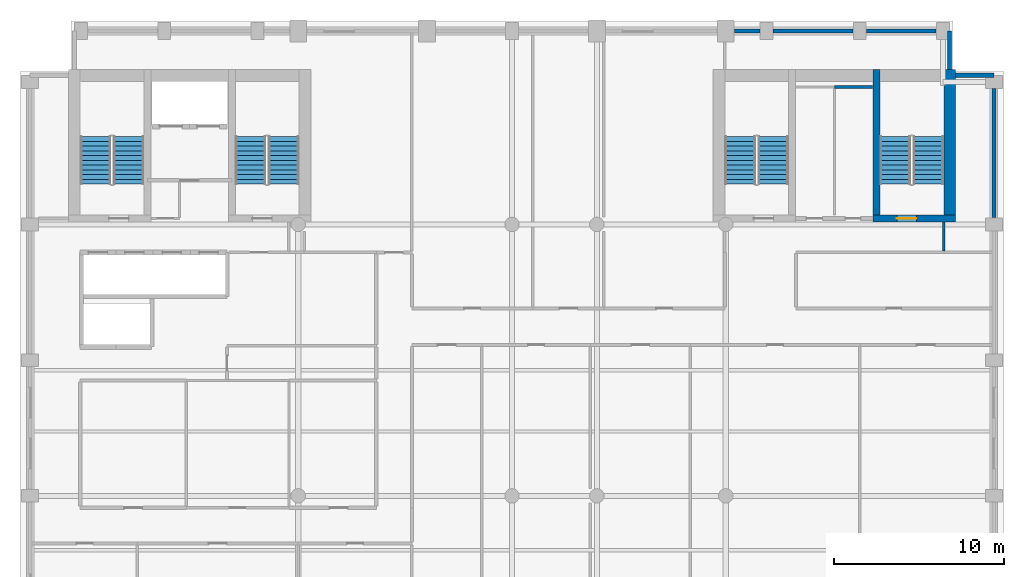
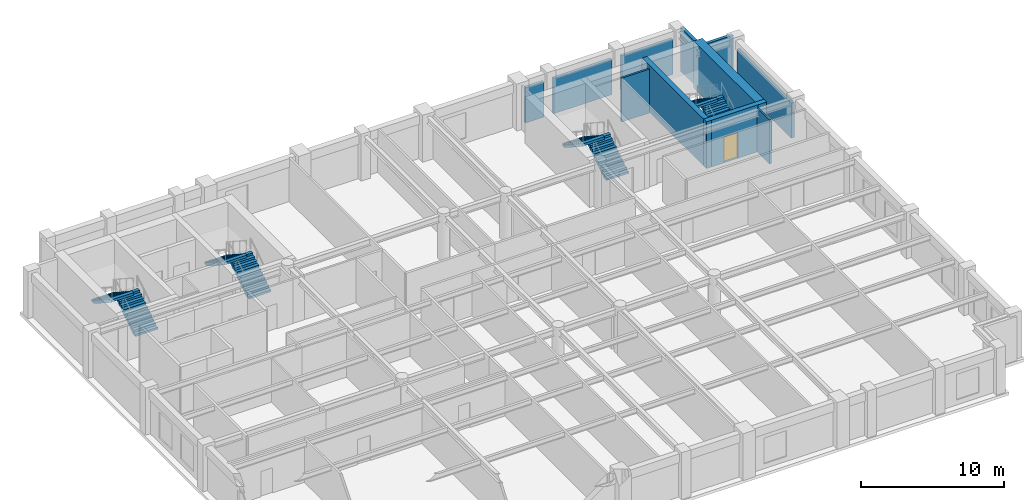
# One storey, part 6 of 8: 11 walls, 8 stair flights, 1 door, 1 opening, 4 elements without a shape of their own.
"""IFC4 building model written with IfcOpenShell, lengths in metres."""

import ifcopenshell
import ifcopenshell.guid

model = None  # the IFC model being written
_history = None  # IfcOwnerHistory: only IFC2X3 demands one
_inside = {}  # id of a spatial element -> (the spatial element, [elements in it])
_under = {}  # id of a project, library or spatial element -> (it, [spatial elements below it])
_declared = {}  # id of a project -> (the project, [libraries it declares])
_typed = {}  # id of a type object -> (the type object, [elements of that type])
_made_of = {}  # id of a material, layer set ... -> (it, [elements and type objects made of it])


def new_model(schema):
    """Start an empty IFC model of exactly this schema.

    Asked for "IFC4X3", IfcOpenShell would pick the latest addendum, in which some entities
    have other attributes; the version numbers below select the first issue.
    IFC2X3 requires an IfcOwnerHistory on every rooted entity: one is made here for all.
    """
    global model, _history
    if schema == "IFC4X3":
        model = ifcopenshell.file(schema_version=(4, 3, 0, 0))
    else:
        model = ifcopenshell.file(schema=schema)
    _inside.clear()
    _under.clear()
    _declared.clear()
    _typed.clear()
    _made_of.clear()
    _history = None
    if model.schema == "IFC2X3":
        org = make("IfcOrganization", Name="unknown")
        user = make(
            "IfcPersonAndOrganization",
            ThePerson=make("IfcPerson", FamilyName="unknown"),
            TheOrganization=org,
        )
        app = make(
            "IfcApplication",
            ApplicationDeveloper=org,
            Version="unknown",
            ApplicationFullName="unknown",
            ApplicationIdentifier="unknown",
        )
        _history = make(
            "IfcOwnerHistory",
            OwningUser=user,
            OwningApplication=app,
            ChangeAction="ADDED",
            CreationDate=0,
        )
    return model


def make(cls, **values):
    """One entity of the class cls with the attributes given. An attribute that is None is left unset."""
    return model.create_entity(
        cls, **{name: value for name, value in values.items() if value is not None}
    )


def rooted(cls, **values):
    """An entity with a GlobalId (a new one), such as an element, a storey or a relation."""
    return make(cls, GlobalId=ifcopenshell.guid.new(), OwnerHistory=_history, **values)


def si_unit(unit_type, name, prefix=None):
    """IfcSIUnit, for example si_unit("LENGTHUNIT", "METRE", prefix="MILLI")."""
    return make("IfcSIUnit", UnitType=unit_type, Prefix=prefix, Name=name)


def assignment(units):
    """IfcUnitAssignment: the units of a project."""
    return None if units is None else make("IfcUnitAssignment", Units=units)


def point(xyz):
    """IfcCartesianPoint."""
    return None if xyz is None else make("IfcCartesianPoint", Coordinates=xyz)


def direction(xyz):
    """IfcDirection."""
    return None if xyz is None else make("IfcDirection", DirectionRatios=xyz)


def frame(location, z_axis=None, x_axis=None):
    """IfcAxis2Placement3D, a coordinate frame: its origin and axes. An axis left out is left unset."""
    return make(
        "IfcAxis2Placement3D",
        Location=point(location),
        Axis=direction(z_axis),
        RefDirection=direction(x_axis),
    )


def frame_2d(location, x_axis=None):
    """IfcAxis2Placement2D, a coordinate frame in the plane: its origin and x axis."""
    return make(
        "IfcAxis2Placement2D", Location=point(location), RefDirection=direction(x_axis)
    )


def origin():
    """The frame at (0, 0, 0) with its axes left unset."""
    return frame((0.0, 0.0, 0.0))


def place(relative_to, where):
    """IfcLocalPlacement: puts the frame where relative to a parent placement (None: the world)."""
    return make(
        "IfcLocalPlacement", PlacementRelTo=relative_to, RelativePlacement=where
    )


def context(
    kind, dimensions, precision=None, world=None, true_north=None, identifier=None
):
    """IfcGeometricRepresentationContext, for example the 3D "Model" context."""
    return make(
        "IfcGeometricRepresentationContext",
        ContextIdentifier=identifier,
        ContextType=kind,
        CoordinateSpaceDimension=dimensions,
        Precision=precision,
        WorldCoordinateSystem=world,
        TrueNorth=true_north,
    )


def subcontext(parent, identifier, kind, view, scale=None):
    """IfcGeometricRepresentationSubContext, for example "Body" below "Model"."""
    return make(
        "IfcGeometricRepresentationSubContext",
        ContextIdentifier=identifier,
        ContextType=kind,
        ParentContext=parent,
        TargetScale=scale,
        TargetView=view,
    )


def project(units=None, contexts=None):
    """IfcProject with its units and contexts."""
    return rooted(
        "IfcProject",
        Name="project",
        RepresentationContexts=contexts,
        UnitsInContext=assignment(units),
    )


def spatial(cls, under=None, at=None, **own):
    """A site, building, storey or space (cls), placed at a placement, below another one or the project."""
    s = rooted(cls, ObjectPlacement=at, **own)
    if under is not None:
        _under.setdefault(under.id(), (under, []))[1].append(s)
    return s


def polyline(points):
    """IfcPolyline through the points."""
    return make("IfcPolyline", Points=[point(p) for p in points])


def profile(cls, at=None, kind="AREA", **sizes):
    """A parametric profile (cls). Its sizes go by their IFC names, for example OverallWidth=200.0."""
    return make(cls, ProfileType=kind, Position=at, **sizes)


def rectangle(**sizes):
    """IfcRectangleProfileDef."""
    return profile("IfcRectangleProfileDef", **sizes)


def outline(outer, holes=None, kind="AREA"):
    """IfcArbitraryClosedProfileDef: a profile drawn as a closed curve; with holes, ...WithVoids."""
    if holes is None:
        return make("IfcArbitraryClosedProfileDef", ProfileType=kind, OuterCurve=outer)
    return make(
        "IfcArbitraryProfileDefWithVoids",
        ProfileType=kind,
        OuterCurve=outer,
        InnerCurves=holes,
    )


def extrude(swept, where, along, depth):
    """IfcExtrudedAreaSolid: the profile swept, set in the frame where, extruded along a direction by depth."""
    return make(
        "IfcExtrudedAreaSolid",
        SweptArea=swept,
        Position=where,
        ExtrudedDirection=direction(along),
        Depth=depth,
    )


def shape(context_of_items, identifier, shape_type, items):
    """IfcShapeRepresentation: the items that make up one representation, for example the "Body"."""
    return make(
        "IfcShapeRepresentation",
        ContextOfItems=context_of_items,
        RepresentationIdentifier=identifier,
        RepresentationType=shape_type,
        Items=items,
    )


def material(Name=None, Category=None):
    """IfcMaterial."""
    return make("IfcMaterial", Name=Name, Category=Category)


def layer(
    of_material, thickness, ventilated=None, Name=None, Category=None, Priority=None
):
    """IfcMaterialLayer: one layer of a wall or slab, of a material (None: an air gap)."""
    return make(
        "IfcMaterialLayer",
        Material=of_material,
        LayerThickness=thickness,
        IsVentilated=ventilated,
        Name=Name,
        Category=Category,
        Priority=Priority,
    )


def layer_set(layers, Name=None):
    """IfcMaterialLayerSet."""
    return make("IfcMaterialLayerSet", MaterialLayers=layers, LayerSetName=Name)


def made_of(thing, what):
    """Note that an element or type object is made of a material, layer set ...; save() writes the relation."""
    if what is not None:
        _made_of.setdefault(what.id(), (what, []))[1].append(thing)
    return thing


def type_object(cls, material=None, **own):
    """A type object (cls), such as IfcWallType, which elements share."""
    return made_of(rooted(cls, **own), material)


def element(
    cls,
    number,
    at=None,
    inside=None,
    cuts=None,
    type_object=None,
    material=None,
    context=None,
    identifier="Body",
    shape_type=None,
    held_by="IfcProductDefinitionShape",
    body=None,
    shapes=None,
    **own,
):
    """One element of the class cls, such as IfcWall. Its Tag is "e" and its number.

    at: its placement. inside: the storey or other place that contains it. cuts: it is an
    opening in that element (IfcRelVoidsElement). A single representation is given by context,
    identifier, shape_type and body (its items); several are given by shapes. held_by: the class
    of the entity that holds the representations. save() writes the other relations.
    """
    e = rooted(cls, Tag="e%d" % number, ObjectPlacement=at, **own)
    if body is not None:
        shapes = [shape(context, identifier, shape_type, body)]
    if shapes is not None:
        e.Representation = make(held_by, Representations=shapes)
    if inside is not None:
        _inside.setdefault(inside.id(), (inside, []))[1].append(e)
    if cuts is not None:
        rooted(
            "IfcRelVoidsElement", RelatingBuildingElement=cuts, RelatedOpeningElement=e
        )
    if type_object is not None:
        _typed.setdefault(type_object.id(), (type_object, []))[1].append(e)
    return made_of(e, material)


def fill(opening, filler):
    """IfcRelFillsElement: the door or window that sits in an opening."""
    return rooted(
        "IfcRelFillsElement",
        RelatingOpeningElement=opening,
        RelatedBuildingElement=filler,
    )


def aggregate(whole, parts):
    """IfcRelAggregates: a whole, such as a stair, and the parts it consists of."""
    return rooted("IfcRelAggregates", RelatingObject=whole, RelatedObjects=parts)


def save(model, path):
    """Write the relations noted so far, then the file.

    IfcRelAggregates (storeys below a building ...), IfcRelContainedInSpatialStructure (elements
    in a storey), IfcRelDefinesByType, IfcRelAssociatesMaterial and IfcRelDeclares: one each for
    every whole, place, type object, material and project.
    """
    for whole, parts in _under.values():
        aggregate(whole, parts)
    for where, things in _inside.values():
        rooted(
            "IfcRelContainedInSpatialStructure",
            RelatedElements=things,
            RelatingStructure=where,
        )
    for kind, things in _typed.values():
        rooted("IfcRelDefinesByType", RelatedObjects=things, RelatingType=kind)
    for what, things in _made_of.values():
        rooted("IfcRelAssociatesMaterial", RelatedObjects=things, RelatingMaterial=what)
    for by, libraries in _declared.values():
        rooted("IfcRelDeclares", RelatingContext=by, RelatedDefinitions=libraries)
    model.write(path)


model = new_model("IFC4")

# Units and contexts
model_context = context("Model", 3, precision=1e-05, world=origin(), true_north=direction((0.0, 1.0)))
body_context = subcontext(model_context, "Body", "Model", "MODEL_VIEW")
ifc_project = project(units=[si_unit("LENGTHUNIT", "METRE"), si_unit("AREAUNIT", "SQUARE_METRE"), si_unit("VOLUMEUNIT", "CUBIC_METRE"), si_unit("PLANEANGLEUNIT", "RADIAN"), si_unit("MASSUNIT", "GRAM", prefix="KILO")], contexts=[model_context])

# Site, building, storey
site_placement = place(None, origin())
site = spatial("IfcSite", under=ifc_project, at=site_placement, CompositionType="ELEMENT")
building_placement = place(site_placement, origin())
building = spatial("IfcBuilding", under=site, at=building_placement, Name="Sulina Concourse Tower", CompositionType="ELEMENT")
storey_placement = place(building_placement, frame((0.0, 0.0, 264.60009765625)))
storey = spatial("IfcBuildingStorey", under=building, at=storey_placement, Name="L64", CompositionType="ELEMENT", Elevation=264.60009765625)

# Walls
ifc_material_1 = material(Name="Precast concrete C50/60", Category="concrete")
ifc_layer_1 = layer(ifc_material_1, 0.239990234375)
ifc_layer_set_1 = layer_set([ifc_layer_1], Name="Precast concrete C50/60")
wall_type_1 = type_object("IfcWallType", Name="Crown Precast Masonry-Frame Facade Wall 240mm", PredefinedType="SOLIDWALL", material=ifc_layer_set_1)
wall_1_placement = place(storey_placement, frame((42.1201171875, 45.39990234375, 0.0), z_axis=(0.0, 0.0, 1.0), x_axis=(1.0, 0.0, 0.0)))
element("IfcWall", 1, at=wall_1_placement, inside=storey, type_object=wall_type_1, Name="L64 exterior precast wall N8", PredefinedType="SOLIDWALL", context=body_context, shape_type="SweptSolid", body=[
    extrude(rectangle(XDim=1.48486328125, YDim=0.239990234375, at=frame_2d((0.742431640625, 0.0))), origin(), (0.0, 0.0, 1.0), 3.0),
])
wall_2_placement = place(storey_placement, frame((44.39501953125, 45.39990234375, 0.0), z_axis=(0.0, 0.0, 1.0), x_axis=(1.0, 0.0, 0.0)))
element("IfcWall", 2, at=wall_2_placement, inside=storey, type_object=wall_type_1, Name="L64 exterior precast wall N9", PredefinedType="SOLIDWALL", context=body_context, shape_type="SweptSolid", body=[
    extrude(rectangle(XDim=4.7099609375, YDim=0.239990234375, at=frame_2d((2.35498046875, 0.0))), origin(), (0.0, 0.0, 1.0), 3.0),
])
wall_3_placement = place(storey_placement, frame((49.89501953125, 45.39990234375, 0.0), z_axis=(0.0, 0.0, 1.0), x_axis=(1.0, 0.0, 0.0)))
element("IfcWall", 3, at=wall_3_placement, inside=storey, type_object=wall_type_1, Name="L64 exterior precast wall N10", PredefinedType="SOLIDWALL", context=body_context, shape_type="SweptSolid", body=[
    extrude(rectangle(XDim=4.10986328125, YDim=0.239990234375, at=frame_2d((2.054931640625, 0.0))), origin(), (0.0, 0.0, 1.0), 3.0),
])
wall_4_placement = place(storey_placement, frame((57.39990234375, 42.0048828125, 0.0), z_axis=(0.0, 0.0, 1.0), x_axis=(0.0, -1.0, 0.0)))
element("IfcWall", 4, at=wall_4_placement, inside=storey, type_object=wall_type_1, Name="L64 exterior precast wall E5", PredefinedType="SOLIDWALL", context=body_context, shape_type="SweptSolid", body=[
    extrude(rectangle(XDim=7.60986328125, YDim=0.239990234375, at=frame_2d((3.804931640625, 0.0))), origin(), (0.0, 0.0, 1.0), 3.0),
])
wall_5_placement = place(storey_placement, frame((54.794921875, 45.39990234375, 0.0), z_axis=(0.0, 0.0, 1.0), x_axis=(0.0, -1.0, 0.0)))
element("IfcWall", 5, at=wall_5_placement, inside=storey, type_object=wall_type_1, Name="L64 exterior precast wall CNE1", PredefinedType="SOLIDWALL", context=body_context, shape_type="SweptSolid", body=[
    extrude(rectangle(XDim=2.264892578125, YDim=0.239990234375, at=frame_2d((1.13232421875, 0.0))), origin(), (0.0, 0.0, 1.0), 3.75),
])
wall_6_placement = place(storey_placement, frame((55.155029296875, 42.794921875, 0.0), z_axis=(0.0, 0.0, 1.0), x_axis=(1.0, 0.0, 0.0)))
element("IfcWall", 6, at=wall_6_placement, inside=storey, type_object=wall_type_1, Name="L64 exterior precast wall CNE2", PredefinedType="SOLIDWALL", context=body_context, shape_type="SweptSolid", body=[
    extrude(rectangle(XDim=2.244873046875, YDim=0.239990234375, at=frame_2d((1.12255859375, 0.0))), origin(), (0.0, 0.0, 1.0), 3.75),
])
ifc_material_2 = material(Name="Gypsum board on steel stud", Category="steel")
ifc_layer_2 = layer(ifc_material_2, 0.14990234375)
ifc_layer_set_2 = layer_set([ifc_layer_2], Name="Gypsum board on steel stud")
wall_type_2 = type_object("IfcWallType", Name="Inter-Tenancy Acoustic Partition 150mm", PredefinedType="PARTITIONING", material=ifc_layer_set_2)
wall_7_placement = place(storey_placement, frame((48.0, 42.10009765625, 0.0), z_axis=(0.0, 0.0, 1.0), x_axis=(1.0, 0.0, 0.0)))
element("IfcWall", 7, at=wall_7_placement, inside=storey, type_object=wall_type_2, Name="L64 interior partition 030", PredefinedType="PARTITIONING", context=body_context, shape_type="SweptSolid", body=[
    extrude(rectangle(XDim=2.25, YDim=0.14990234375, at=frame_2d((1.125, 0.0))), origin(), (0.0, 0.0, 1.0), 3.75),
])
wall_8_placement = place(storey_placement, frame((54.449951171875, 32.425048828125, 0.0), z_axis=(0.0, 0.0, 1.0), x_axis=(0.0, 1.0, 0.0)))
element("IfcWall", 8, at=wall_8_placement, inside=storey, type_object=wall_type_2, Name="L64 interior partition 061", PredefinedType="PARTITIONING", context=body_context, shape_type="SweptSolid", body=[
    extrude(rectangle(XDim=1.724853515625, YDim=0.14990234375, at=frame_2d((0.8623046875, 0.0))), origin(), (0.0, 0.0, 1.0), 3.75),
])

# Wall, opening, door
ifc_material_3 = material(Name="Concrete C60/75", Category="concrete")
ifc_layer_3 = layer(ifc_material_3, 0.39990234375)
ifc_layer_set_3 = layer_set([ifc_layer_3], Name="Concrete C60/75")
wall_type_3 = type_object("IfcWallType", Name="Protected Stair Core Shear Wall 400mm", PredefinedType="SHEAR", material=ifc_layer_set_3)
wall_9_placement = place(storey_placement, frame((50.2900390625, 34.35009765625, 0.0), z_axis=(0.0, 0.0, 1.0), x_axis=(1.0, 0.0, 0.0)))
wall_9 = element("IfcWall", 9, at=wall_9_placement, inside=storey, type_object=wall_type_3, Name="L64 east core shear wall CW-ES2", PredefinedType="SHEAR", context=body_context, shape_type="SweptSolid", body=[
    extrude(rectangle(XDim=4.85986328125, YDim=0.39990234375, at=frame_2d((2.429931640625, 0.0))), origin(), (0.0, 0.0, 1.0), 4.0),
])
opening_placement = place(wall_9_placement, frame((1.39990234375, 0.0, 0.0)))
opening = element("IfcOpeningElement", 10, at=opening_placement, cuts=wall_9, Name="Opening DR-60", PredefinedType="OPENING", context=body_context, shape_type="SweptSolid", body=[
    extrude(rectangle(XDim=1.14990234375, YDim=2.199951171875, at=frame_2d((0.574951171875, 1.10009765625))), frame((0.0, 0.2099609375, 0.0), z_axis=(0.0, -1.0, 0.0), x_axis=(1.0, 0.0, 0.0)), (0.0, 0.0, 1.0), 0.419921875),
])
ifc_material_4 = material(Name="Galvanised steel acoustic fire leaf", Category="steel")
ifc_layer_4 = layer(ifc_material_4, 0.054931640625)
ifc_layer_set_4 = layer_set([ifc_layer_4], Name="Galvanised steel acoustic fire leaf")
door_type = type_object("IfcDoorType", Name="Protected Exit Stair Fire Door 1150x2200", OperationType="NOTDEFINED", PredefinedType="DOOR", material=ifc_layer_set_4)
door_placement = place(opening_placement, origin())
door = element("IfcDoor", 11, at=door_placement, inside=storey, type_object=door_type, Name="L64 stair ST-4 south lobby fire door", OperationType="SINGLE_SWING_LEFT", OverallHeight=2.199951171875, OverallWidth=1.14990234375, PredefinedType="DOOR", context=body_context, shape_type="SweptSolid", body=[
    extrude(rectangle(XDim=1.14990234375, YDim=2.199951171875, at=frame_2d((0.574951171875, 1.10009765625))), frame((0.0, 0.02490234375, 0.0), z_axis=(0.0, -1.0, 0.0), x_axis=(1.0, 0.0, 0.0)), (0.0, 0.0, 1.0), 0.050048828125),
])
fill(opening, door)

# Walls
wall_10_placement = place(storey_placement, frame((50.489990234375, 34.14990234375, 0.0), z_axis=(0.0, 0.0, 1.0), x_axis=(0.0, 1.0, 0.0)))
element("IfcWall", 12, at=wall_10_placement, inside=storey, type_object=wall_type_3, Name="L64 east core shear wall SW-ST4", PredefinedType="SHEAR", context=body_context, shape_type="SweptSolid", body=[
    extrude(rectangle(XDim=8.97998046875, YDim=0.39990234375, at=frame_2d((4.489990234375, 0.0))), origin(), (0.0, 0.0, 1.0), 4.0),
])
ifc_material_5 = material(Name="Concrete C60/75", Category="concrete")
ifc_layer_5 = layer(ifc_material_5, 0.699951171875)
ifc_layer_set_5 = layer_set([ifc_layer_5], Name="Concrete C60/75")
wall_type_4 = type_object("IfcWallType", Name="Rear Core Shear Wall 700mm", PredefinedType="SHEAR", material=ifc_layer_set_5)
wall_11_placement = place(storey_placement, frame((54.800048828125, 34.14990234375, 0.0), z_axis=(0.0, 0.0, 1.0), x_axis=(0.0, 1.0, 0.0)))
element("IfcWall", 13, at=wall_11_placement, inside=storey, type_object=wall_type_4, Name="L64 east core shear wall CW-EE", PredefinedType="SHEAR", context=body_context, shape_type="SweptSolid", body=[
    extrude(rectangle(XDim=8.97998046875, YDim=0.699951171875, at=frame_2d((4.489990234375, 0.0))), origin(), (0.0, 0.0, 1.0), 4.0),
])

# Stair, stair flights
ifc_material_6 = material(Name="Concrete C50/60", Category="concrete")
stair_type_1 = type_object("IfcStairType", Name="Portal & Podium Core Exit Stair 1820mm", PredefinedType="HALF_TURN_STAIR", material=ifc_material_6)
stair_1_placement = place(storey_placement, origin())
stair_1 = element("IfcStair", 14, at=stair_1_placement, inside=storey, type_object=stair_type_1, Name="L64 ST-3", PredefinedType="HALF_TURN_STAIR")
ifc_material_7 = material(Name="Concrete C50/60", Category="concrete")
stair_flight_type_1 = type_object("IfcStairFlightType", Name="Portal & Podium Core Exit Stair 1820mm Flight", PredefinedType="STRAIGHT", material=ifc_material_7)
stair_flight_1_placement = place(storey_placement, frame((44.405029296875, 36.375, 0.0), z_axis=(0.0, 0.0, 1.0), x_axis=(0.0, 1.0, 0.0)))
stair_flight_1 = element("IfcStairFlight", 15, at=stair_flight_1_placement, type_object=stair_flight_type_1, Name="ST-3 flight 1", NumberOfRisers=11, NumberOfTreads=10, PredefinedType="STRAIGHT", RiserHeight=0.181818182, TreadLength=0.28, context=body_context, shape_type="SweptSolid", body=[
    extrude(outline(polyline([(0.0, 0.0), (0.0, 0.181884765625), (0.280029296875, 0.181884765625), (0.280029296875, 0.363525390625), (0.56005859375, 0.363525390625), (0.56005859375, 0.54541015625), (0.840087890625, 0.54541015625), (0.840087890625, 0.727294921875), (1.1201171875, 0.727294921875), (1.1201171875, 0.9091796875), (1.39990234375, 0.9091796875), (1.39990234375, 1.0908203125), (1.679931640625, 1.0908203125), (1.679931640625, 1.272705078125), (1.9599609375, 1.272705078125), (1.9599609375, 1.45458984375), (2.239990234375, 1.45458984375), (2.239990234375, 1.636474609375), (2.52001953125, 1.636474609375), (2.52001953125, 1.818115234375), (2.800048828125, 1.818115234375), (2.800048828125, 2.0), (2.800048828125, 1.603759765625), (0.330322265625, 0.0), (0.0, 0.0)])), frame((0.0, 0.89990234375, 0.0), z_axis=(0.0, -1.0, 0.0), x_axis=(1.0, 0.0, 0.0)), (0.0, 0.0, 1.0), 1.800048828125),
])
stair_flight_2_placement = place(storey_placement, frame((42.455078125, 39.175048828125, 2.0), z_axis=(0.0, 0.0, 1.0), x_axis=(0.0, -1.0, 0.0)))
stair_flight_2 = element("IfcStairFlight", 16, at=stair_flight_2_placement, type_object=stair_flight_type_1, Name="ST-3 flight 2", NumberOfRisers=11, NumberOfTreads=10, PredefinedType="STRAIGHT", RiserHeight=0.181818182, TreadLength=0.28, context=body_context, shape_type="SweptSolid", body=[
    extrude(outline(polyline([(0.0, 0.0), (0.0, 0.181884765625), (0.280029296875, 0.181884765625), (0.280029296875, 0.363525390625), (0.56005859375, 0.363525390625), (0.56005859375, 0.54541015625), (0.840087890625, 0.54541015625), (0.840087890625, 0.727294921875), (1.1201171875, 0.727294921875), (1.1201171875, 0.9091796875), (1.39990234375, 0.9091796875), (1.39990234375, 1.0908203125), (1.679931640625, 1.0908203125), (1.679931640625, 1.272705078125), (1.9599609375, 1.272705078125), (1.9599609375, 1.45458984375), (2.239990234375, 1.45458984375), (2.239990234375, 1.636474609375), (2.52001953125, 1.636474609375), (2.52001953125, 1.818115234375), (2.800048828125, 1.818115234375), (2.800048828125, 2.0), (2.800048828125, 1.603759765625), (0.330322265625, 0.0), (0.0, 0.0)])), frame((0.0, 0.89990234375, 0.0), z_axis=(0.0, -1.0, 0.0), x_axis=(1.0, 0.0, 0.0)), (0.0, 0.0, 1.0), 1.800048828125),
])
aggregate(stair_1, [stair_flight_1, stair_flight_2])

stair_2_placement = place(storey_placement, origin())
stair_2 = element("IfcStair", 17, at=stair_2_placement, inside=storey, type_object=stair_type_1, Name="L64 ST-4", PredefinedType="HALF_TURN_STAIR")
stair_flight_3_placement = place(storey_placement, frame((53.544921875, 36.375, 0.0), z_axis=(0.0, 0.0, 1.0), x_axis=(0.0, 1.0, 0.0)))
stair_flight_3 = element("IfcStairFlight", 18, at=stair_flight_3_placement, type_object=stair_flight_type_1, Name="ST-4 flight 1", NumberOfRisers=11, NumberOfTreads=10, PredefinedType="STRAIGHT", RiserHeight=0.181818182, TreadLength=0.28, context=body_context, shape_type="SweptSolid", body=[
    extrude(outline(polyline([(0.0, 0.0), (0.0, 0.181884765625), (0.280029296875, 0.181884765625), (0.280029296875, 0.363525390625), (0.56005859375, 0.363525390625), (0.56005859375, 0.54541015625), (0.840087890625, 0.54541015625), (0.840087890625, 0.727294921875), (1.1201171875, 0.727294921875), (1.1201171875, 0.9091796875), (1.39990234375, 0.9091796875), (1.39990234375, 1.0908203125), (1.679931640625, 1.0908203125), (1.679931640625, 1.272705078125), (1.9599609375, 1.272705078125), (1.9599609375, 1.45458984375), (2.239990234375, 1.45458984375), (2.239990234375, 1.636474609375), (2.52001953125, 1.636474609375), (2.52001953125, 1.818115234375), (2.800048828125, 1.818115234375), (2.800048828125, 2.0), (2.800048828125, 1.603759765625), (0.330322265625, 0.0), (0.0, 0.0)])), frame((0.0, 0.89990234375, 0.0), z_axis=(0.0, -1.0, 0.0), x_axis=(1.0, 0.0, 0.0)), (0.0, 0.0, 1.0), 1.800048828125),
])
stair_flight_4_placement = place(storey_placement, frame((51.594970703125, 39.175048828125, 2.0), z_axis=(0.0, 0.0, 1.0), x_axis=(0.0, -1.0, 0.0)))
stair_flight_4 = element("IfcStairFlight", 19, at=stair_flight_4_placement, type_object=stair_flight_type_1, Name="ST-4 flight 2", NumberOfRisers=11, NumberOfTreads=10, PredefinedType="STRAIGHT", RiserHeight=0.181818182, TreadLength=0.28, context=body_context, shape_type="SweptSolid", body=[
    extrude(outline(polyline([(0.0, 0.0), (0.0, 0.181884765625), (0.280029296875, 0.181884765625), (0.280029296875, 0.363525390625), (0.56005859375, 0.363525390625), (0.56005859375, 0.54541015625), (0.840087890625, 0.54541015625), (0.840087890625, 0.727294921875), (1.1201171875, 0.727294921875), (1.1201171875, 0.9091796875), (1.39990234375, 0.9091796875), (1.39990234375, 1.0908203125), (1.679931640625, 1.0908203125), (1.679931640625, 1.272705078125), (1.9599609375, 1.272705078125), (1.9599609375, 1.45458984375), (2.239990234375, 1.45458984375), (2.239990234375, 1.636474609375), (2.52001953125, 1.636474609375), (2.52001953125, 1.818115234375), (2.800048828125, 1.818115234375), (2.800048828125, 2.0), (2.800048828125, 1.603759765625), (0.330322265625, 0.0), (0.0, 0.0)])), frame((0.0, 0.89990234375, 0.0), z_axis=(0.0, -1.0, 0.0), x_axis=(1.0, 0.0, 0.0)), (0.0, 0.0, 1.0), 1.800048828125),
])
aggregate(stair_2, [stair_flight_3, stair_flight_4])

ifc_material_8 = material(Name="Concrete C50/60", Category="concrete")
stair_type_2 = type_object("IfcStairType", Name="Primary Core Dog-Leg Exit Stair 1800mm", PredefinedType="HALF_TURN_STAIR", material=ifc_material_8)
stair_3_placement = place(storey_placement, origin())
stair_3 = element("IfcStair", 20, at=stair_3_placement, inside=storey, type_object=stair_type_2, Name="L64 ST-1", PredefinedType="HALF_TURN_STAIR")
ifc_material_9 = material(Name="Concrete C50/60", Category="concrete")
stair_flight_type_2 = type_object("IfcStairFlightType", Name="Primary Core Dog-Leg Exit Stair 1800mm Flight", PredefinedType="STRAIGHT", material=ifc_material_9)
stair_flight_5_placement = place(storey_placement, frame((6.405029296875, 36.375, 0.0), z_axis=(0.0, 0.0, 1.0), x_axis=(0.0, 1.0, 0.0)))
stair_flight_5 = element("IfcStairFlight", 21, at=stair_flight_5_placement, type_object=stair_flight_type_2, Name="ST-1 flight 1", NumberOfRisers=11, NumberOfTreads=10, PredefinedType="STRAIGHT", RiserHeight=0.181818182, TreadLength=0.28, context=body_context, shape_type="SweptSolid", body=[
    extrude(outline(polyline([(0.0, 0.0), (0.0, 0.181884765625), (0.280029296875, 0.181884765625), (0.280029296875, 0.363525390625), (0.56005859375, 0.363525390625), (0.56005859375, 0.54541015625), (0.840087890625, 0.54541015625), (0.840087890625, 0.727294921875), (1.1201171875, 0.727294921875), (1.1201171875, 0.9091796875), (1.39990234375, 0.9091796875), (1.39990234375, 1.0908203125), (1.679931640625, 1.0908203125), (1.679931640625, 1.272705078125), (1.9599609375, 1.272705078125), (1.9599609375, 1.45458984375), (2.239990234375, 1.45458984375), (2.239990234375, 1.636474609375), (2.52001953125, 1.636474609375), (2.52001953125, 1.818115234375), (2.800048828125, 1.818115234375), (2.800048828125, 2.0), (2.800048828125, 1.603759765625), (0.330322265625, 0.0), (0.0, 0.0)])), frame((0.0, 0.89990234375, 0.0), z_axis=(0.0, -1.0, 0.0), x_axis=(1.0, 0.0, 0.0)), (0.0, 0.0, 1.0), 1.800048828125),
])
stair_flight_6_placement = place(storey_placement, frame((4.455078125, 39.175048828125, 2.0), z_axis=(0.0, 0.0, 1.0), x_axis=(0.0, -1.0, 0.0)))
stair_flight_6 = element("IfcStairFlight", 22, at=stair_flight_6_placement, type_object=stair_flight_type_2, Name="ST-1 flight 2", NumberOfRisers=11, NumberOfTreads=10, PredefinedType="STRAIGHT", RiserHeight=0.181818182, TreadLength=0.28, context=body_context, shape_type="SweptSolid", body=[
    extrude(outline(polyline([(0.0, 0.0), (0.0, 0.181884765625), (0.280029296875, 0.181884765625), (0.280029296875, 0.363525390625), (0.56005859375, 0.363525390625), (0.56005859375, 0.54541015625), (0.840087890625, 0.54541015625), (0.840087890625, 0.727294921875), (1.1201171875, 0.727294921875), (1.1201171875, 0.9091796875), (1.39990234375, 0.9091796875), (1.39990234375, 1.0908203125), (1.679931640625, 1.0908203125), (1.679931640625, 1.272705078125), (1.9599609375, 1.272705078125), (1.9599609375, 1.45458984375), (2.239990234375, 1.45458984375), (2.239990234375, 1.636474609375), (2.52001953125, 1.636474609375), (2.52001953125, 1.818115234375), (2.800048828125, 1.818115234375), (2.800048828125, 2.0), (2.800048828125, 1.603759765625), (0.330322265625, 0.0), (0.0, 0.0)])), frame((0.0, 0.89990234375, 0.0), z_axis=(0.0, -1.0, 0.0), x_axis=(1.0, 0.0, 0.0)), (0.0, 0.0, 1.0), 1.800048828125),
])
aggregate(stair_3, [stair_flight_5, stair_flight_6])

stair_4_placement = place(storey_placement, origin())
stair_4 = element("IfcStair", 23, at=stair_4_placement, inside=storey, type_object=stair_type_2, Name="L64 ST-2", PredefinedType="HALF_TURN_STAIR")
stair_flight_7_placement = place(storey_placement, frame((15.544921875, 36.375, 0.0), z_axis=(0.0, 0.0, 1.0), x_axis=(0.0, 1.0, 0.0)))
stair_flight_7 = element("IfcStairFlight", 24, at=stair_flight_7_placement, type_object=stair_flight_type_2, Name="ST-2 flight 1", NumberOfRisers=11, NumberOfTreads=10, PredefinedType="STRAIGHT", RiserHeight=0.181818182, TreadLength=0.28, context=body_context, shape_type="SweptSolid", body=[
    extrude(outline(polyline([(0.0, 0.0), (0.0, 0.181884765625), (0.280029296875, 0.181884765625), (0.280029296875, 0.363525390625), (0.56005859375, 0.363525390625), (0.56005859375, 0.54541015625), (0.840087890625, 0.54541015625), (0.840087890625, 0.727294921875), (1.1201171875, 0.727294921875), (1.1201171875, 0.9091796875), (1.39990234375, 0.9091796875), (1.39990234375, 1.0908203125), (1.679931640625, 1.0908203125), (1.679931640625, 1.272705078125), (1.9599609375, 1.272705078125), (1.9599609375, 1.45458984375), (2.239990234375, 1.45458984375), (2.239990234375, 1.636474609375), (2.52001953125, 1.636474609375), (2.52001953125, 1.818115234375), (2.800048828125, 1.818115234375), (2.800048828125, 2.0), (2.800048828125, 1.603759765625), (0.330322265625, 0.0), (0.0, 0.0)])), frame((0.0, 0.89990234375, 0.0), z_axis=(0.0, -1.0, 0.0), x_axis=(1.0, 0.0, 0.0)), (0.0, 0.0, 1.0), 1.800048828125),
])
stair_flight_8_placement = place(storey_placement, frame((13.594970703125, 39.175048828125, 2.0), z_axis=(0.0, 0.0, 1.0), x_axis=(0.0, -1.0, 0.0)))
stair_flight_8 = element("IfcStairFlight", 25, at=stair_flight_8_placement, type_object=stair_flight_type_2, Name="ST-2 flight 2", NumberOfRisers=11, NumberOfTreads=10, PredefinedType="STRAIGHT", RiserHeight=0.181818182, TreadLength=0.28, context=body_context, shape_type="SweptSolid", body=[
    extrude(outline(polyline([(0.0, 0.0), (0.0, 0.181884765625), (0.280029296875, 0.181884765625), (0.280029296875, 0.363525390625), (0.56005859375, 0.363525390625), (0.56005859375, 0.54541015625), (0.840087890625, 0.54541015625), (0.840087890625, 0.727294921875), (1.1201171875, 0.727294921875), (1.1201171875, 0.9091796875), (1.39990234375, 0.9091796875), (1.39990234375, 1.0908203125), (1.679931640625, 1.0908203125), (1.679931640625, 1.272705078125), (1.9599609375, 1.272705078125), (1.9599609375, 1.45458984375), (2.239990234375, 1.45458984375), (2.239990234375, 1.636474609375), (2.52001953125, 1.636474609375), (2.52001953125, 1.818115234375), (2.800048828125, 1.818115234375), (2.800048828125, 2.0), (2.800048828125, 1.603759765625), (0.330322265625, 0.0), (0.0, 0.0)])), frame((0.0, 0.89990234375, 0.0), z_axis=(0.0, -1.0, 0.0), x_axis=(1.0, 0.0, 0.0)), (0.0, 0.0, 1.0), 1.800048828125),
])
aggregate(stair_4, [stair_flight_7, stair_flight_8])

save(model, "model.ifc")
